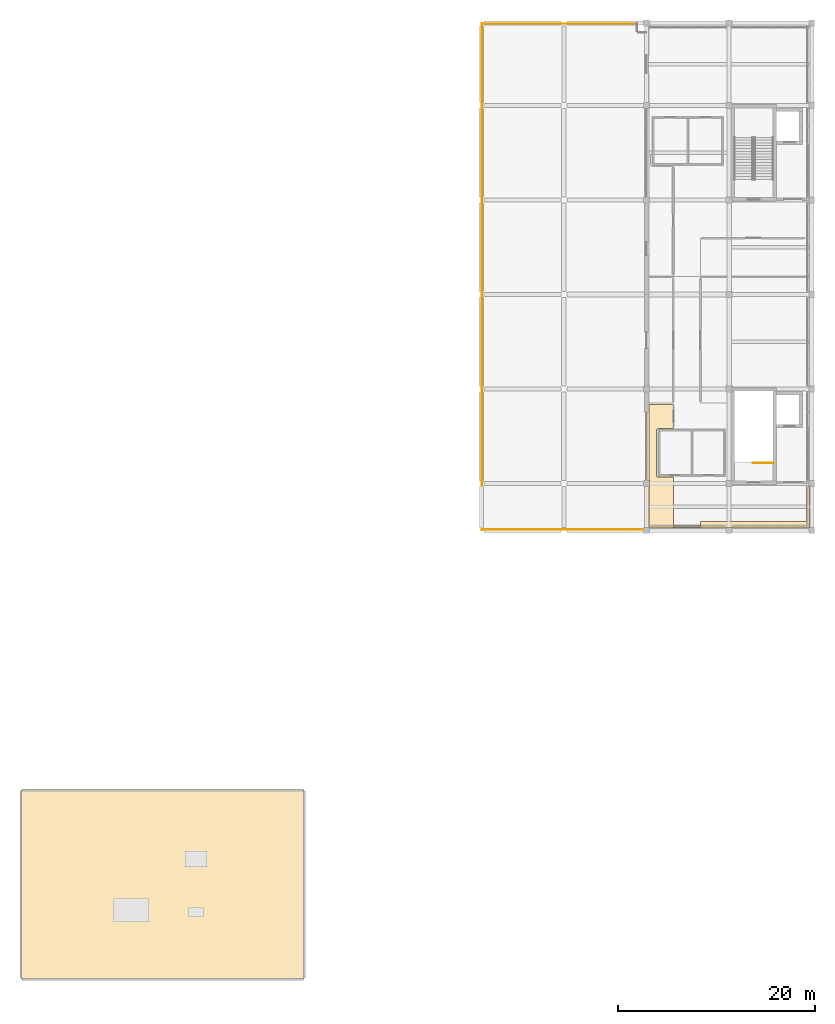
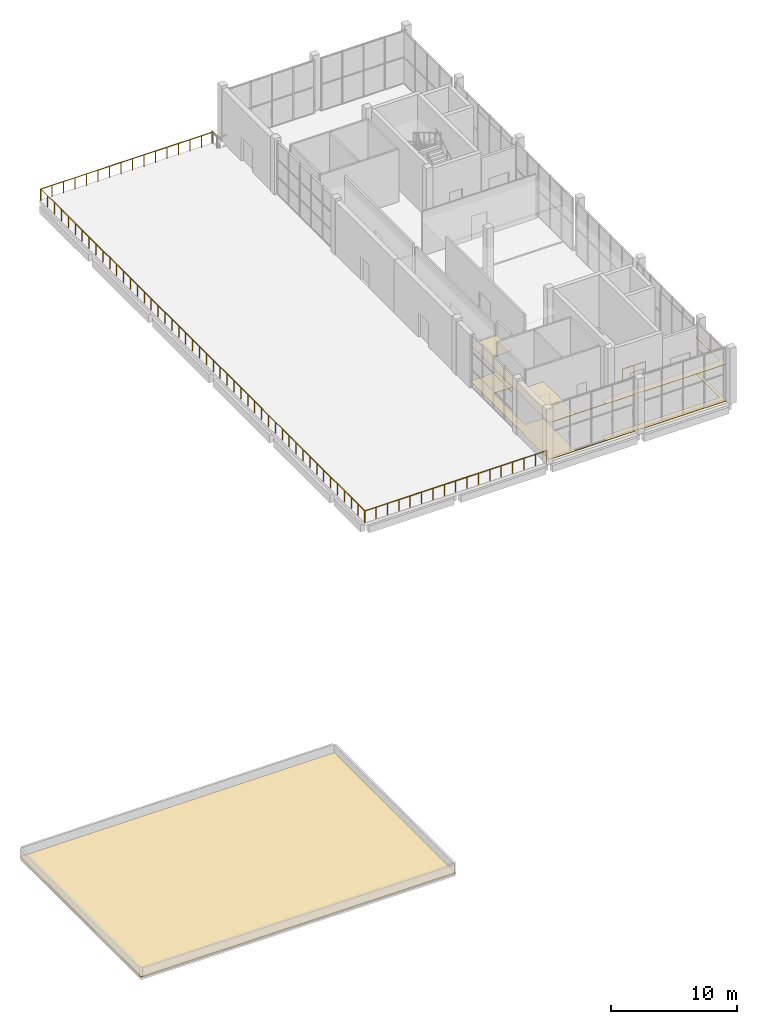
# One storey, part 13 of 15: 4 railings, 3 coverings.
"""IFC4 building model written with IfcOpenShell, lengths in metres."""

from ifc_helpers import new_model, si_unit, direction, frame, origin, origin_2d, place, context, subcontext, project, spatial, polyline, circle, outline, extrude, material, layer, layer_set, type_object, element, save


model = new_model("IFC4")

# Units and contexts
model_context = context("Model", 3, precision=1e-05, world=origin(), true_north=direction((0.0, 1.0)))
body_context = subcontext(model_context, "Body", "Model", "MODEL_VIEW")
ifc_project = project(units=[si_unit("LENGTHUNIT", "METRE"), si_unit("AREAUNIT", "SQUARE_METRE"), si_unit("VOLUMEUNIT", "CUBIC_METRE"), si_unit("PLANEANGLEUNIT", "RADIAN"), si_unit("MASSUNIT", "GRAM", prefix="KILO")], contexts=[model_context])

# Site, building, storey
site_placement = place(None, origin())
site = spatial("IfcSite", under=ifc_project, at=site_placement, CompositionType="ELEMENT")
building_placement = place(site_placement, origin())
building = spatial("IfcBuilding", under=site, at=building_placement, Name="Shalvenor Court Art Gallery", CompositionType="ELEMENT")
storey_placement = place(building_placement, frame((0.0, 0.0, 27.0)))
storey = spatial("IfcBuildingStorey", under=building, at=storey_placement, Name="L05", CompositionType="ELEMENT", Elevation=27.0)

# Coverings
ifc_material_1 = material(Name="Perforated acoustic gypsum gallery ceiling", Category="other")
ifc_layer_1 = layer(ifc_material_1, 0.044921875, Name="Perforated acoustic gypsum gallery ceiling")
ifc_layer_set_1 = layer_set([ifc_layer_1], Name="Perforated acoustic gypsum gallery ceiling")
covering_type_1 = type_object("IfcCoveringType", Name="CLG-01", PredefinedType="CEILING", material=ifc_layer_set_1)
covering_1_placement = place(storey_placement, frame((0.0, 0.0, 3.550048828125)))
element("IfcCovering", 1, at=covering_1_placement, inside=storey, type_object=covering_type_1, Name="L05 Top Lit Lantern Gallery Acoustic Ceiling", PredefinedType="CEILING", context=body_context, shape_type="SweptSolid", body=[
    extrude(outline(polyline([(162.320068359375, 58.419921875), (162.320068359375, 55.97998046875), (160.800048828125, 55.97998046875), (160.782470703125, 55.97900390625), (160.764892578125, 55.9765625), (160.747802734375, 55.97216796875), (160.731201171875, 55.96630859375), (160.715087890625, 55.958740234375), (160.699951171875, 55.94970703125), (160.685791015625, 55.939208984375), (160.672607421875, 55.92724609375), (160.660888671875, 55.914306640625), (160.650390625, 55.89990234375), (160.641357421875, 55.885009765625), (160.6337890625, 55.868896484375), (160.627685546875, 55.852294921875), (160.62353515625, 55.835205078125), (160.620849609375, 55.817626953125), (160.6201171875, 55.800048828125), (160.6201171875, 51.199951171875), (160.620849609375, 51.182373046875), (160.62353515625, 51.164794921875), (160.627685546875, 51.147705078125), (160.6337890625, 51.131103515625), (160.641357421875, 51.114990234375), (160.650390625, 51.10009765625), (160.660888671875, 51.085693359375), (160.672607421875, 51.07275390625), (160.685791015625, 51.060791015625), (160.699951171875, 51.05029296875), (160.715087890625, 51.041259765625), (160.731201171875, 51.03369140625), (160.747802734375, 51.02783203125), (160.764892578125, 51.0234375), (160.782470703125, 51.02099609375), (160.800048828125, 51.02001953125), (162.320068359375, 51.02001953125), (162.320068359375, 46.0), (162.3203125, 45.9921875), (162.321533203125, 45.984375), (162.323486328125, 45.976806640625), (162.326171875, 45.969482421875), (162.329345703125, 45.96240234375), (162.33349609375, 45.95556640625), (162.338134765625, 45.94921875), (162.343505859375, 45.943359375), (162.34912109375, 45.938232421875), (162.355712890625, 45.93359375), (162.3623046875, 45.929443359375), (162.369384765625, 45.926025390625), (162.376708984375, 45.92333984375), (162.384521484375, 45.92138671875), (162.39208984375, 45.92041015625), (162.39990234375, 45.919921875), (165.0, 45.919921875), (165.0078125, 45.92041015625), (165.015625, 45.92138671875), (165.023193359375, 45.92333984375), (165.030517578125, 45.926025390625), (165.03759765625, 45.929443359375), (165.04443359375, 45.93359375), (165.05078125, 45.938232421875), (165.056640625, 45.943359375), (165.061767578125, 45.94921875), (165.06640625, 45.95556640625), (165.070556640625, 45.96240234375), (165.073974609375, 45.969482421875), (165.07666015625, 45.976806640625), (165.07861328125, 45.984375), (165.07958984375, 45.9921875), (165.080078125, 46.0), (165.080078125, 46.52001953125), (175.800048828125, 46.52001953125), (175.807861328125, 46.5205078125), (175.815673828125, 46.521484375), (175.8232421875, 46.5234375), (175.83056640625, 46.526123046875), (175.837646484375, 46.529296875), (175.844482421875, 46.533447265625), (175.850830078125, 46.5380859375), (175.856689453125, 46.54345703125), (175.86181640625, 46.54931640625), (175.866455078125, 46.5556640625), (175.87060546875, 46.562255859375), (175.873779296875, 46.5693359375), (175.876708984375, 46.576904296875), (175.87841796875, 46.58447265625), (175.879638671875, 46.59228515625), (175.8798828125, 46.60009765625), (175.8798828125, 50.280029296875), (176.0, 50.280029296875), (176.021484375, 50.281005859375), (176.04296875, 50.2841796875), (176.06396484375, 50.28955078125), (176.080078125, 50.295166015625), (176.080078125, 50.080078125), (176.14990234375, 50.080078125), (176.14990234375, 45.919921875), (176.080078125, 45.919921875), (176.080078125, 45.85009765625), (168.320068359375, 45.85009765625), (168.320068359375, 45.919921875), (167.679931640625, 45.919921875), (167.679931640625, 45.85009765625), (159.919921875, 45.85009765625), (159.919921875, 45.919921875), (159.85009765625, 45.919921875), (159.85009765625, 50.080078125), (159.919921875, 50.080078125), (159.919921875, 50.719970703125), (159.85009765625, 50.719970703125), (159.85009765625, 58.419921875), (162.320068359375, 58.419921875)])), origin(), (0.0, 0.0, 1.0), 0.044921875),
])
ifc_material_2 = material(Name="Quarter-sawn white oak gallery flooring", Category="wood")
ifc_layer_2 = layer(ifc_material_2, 0.031982421875, Name="Quarter-sawn white oak gallery flooring")
ifc_layer_set_2 = layer_set([ifc_layer_2], Name="Quarter-sawn white oak gallery flooring")
covering_type_2 = type_object("IfcCoveringType", Name="FLR-02", PredefinedType="FLOORING", material=ifc_layer_set_2)
covering_2_placement = place(storey_placement, origin())
element("IfcCovering", 2, at=covering_2_placement, inside=storey, type_object=covering_type_2, Name="L05 Top Lit Lantern Gallery Flooring", PredefinedType="FLOORING", context=body_context, shape_type="SweptSolid", body=[
    extrude(outline(polyline([(162.320068359375, 58.419921875), (162.320068359375, 55.97998046875), (160.800048828125, 55.97998046875), (160.782470703125, 55.97900390625), (160.764892578125, 55.9765625), (160.747802734375, 55.97216796875), (160.731201171875, 55.96630859375), (160.715087890625, 55.958740234375), (160.699951171875, 55.94970703125), (160.685791015625, 55.939208984375), (160.672607421875, 55.92724609375), (160.660888671875, 55.914306640625), (160.650390625, 55.89990234375), (160.641357421875, 55.885009765625), (160.6337890625, 55.868896484375), (160.627685546875, 55.852294921875), (160.62353515625, 55.835205078125), (160.620849609375, 55.817626953125), (160.6201171875, 55.800048828125), (160.6201171875, 51.199951171875), (160.620849609375, 51.182373046875), (160.62353515625, 51.164794921875), (160.627685546875, 51.147705078125), (160.6337890625, 51.131103515625), (160.641357421875, 51.114990234375), (160.650390625, 51.10009765625), (160.660888671875, 51.085693359375), (160.672607421875, 51.07275390625), (160.685791015625, 51.060791015625), (160.699951171875, 51.05029296875), (160.715087890625, 51.041259765625), (160.731201171875, 51.03369140625), (160.747802734375, 51.02783203125), (160.764892578125, 51.0234375), (160.782470703125, 51.02099609375), (160.800048828125, 51.02001953125), (162.320068359375, 51.02001953125), (162.320068359375, 46.0), (162.3203125, 45.9921875), (162.321533203125, 45.984375), (162.323486328125, 45.976806640625), (162.326171875, 45.969482421875), (162.329345703125, 45.96240234375), (162.33349609375, 45.95556640625), (162.338134765625, 45.94921875), (162.343505859375, 45.943359375), (162.34912109375, 45.938232421875), (162.355712890625, 45.93359375), (162.3623046875, 45.929443359375), (162.369384765625, 45.926025390625), (162.376708984375, 45.92333984375), (162.384521484375, 45.92138671875), (162.39208984375, 45.92041015625), (162.39990234375, 45.919921875), (165.0, 45.919921875), (165.0078125, 45.92041015625), (165.015625, 45.92138671875), (165.023193359375, 45.92333984375), (165.030517578125, 45.926025390625), (165.03759765625, 45.929443359375), (165.04443359375, 45.93359375), (165.05078125, 45.938232421875), (165.056640625, 45.943359375), (165.061767578125, 45.94921875), (165.06640625, 45.95556640625), (165.070556640625, 45.96240234375), (165.073974609375, 45.969482421875), (165.07666015625, 45.976806640625), (165.07861328125, 45.984375), (165.07958984375, 45.9921875), (165.080078125, 46.0), (165.080078125, 46.52001953125), (175.800048828125, 46.52001953125), (175.807861328125, 46.5205078125), (175.815673828125, 46.521484375), (175.8232421875, 46.5234375), (175.83056640625, 46.526123046875), (175.837646484375, 46.529296875), (175.844482421875, 46.533447265625), (175.850830078125, 46.5380859375), (175.856689453125, 46.54345703125), (175.86181640625, 46.54931640625), (175.866455078125, 46.5556640625), (175.87060546875, 46.562255859375), (175.873779296875, 46.5693359375), (175.876708984375, 46.576904296875), (175.87841796875, 46.58447265625), (175.879638671875, 46.59228515625), (175.8798828125, 46.60009765625), (175.8798828125, 50.280029296875), (176.0, 50.280029296875), (176.021484375, 50.281005859375), (176.04296875, 50.2841796875), (176.06396484375, 50.28955078125), (176.080078125, 50.295166015625), (176.080078125, 50.080078125), (176.14990234375, 50.080078125), (176.14990234375, 45.919921875), (176.080078125, 45.919921875), (176.080078125, 45.85009765625), (168.320068359375, 45.85009765625), (168.320068359375, 45.919921875), (167.679931640625, 45.919921875), (167.679931640625, 45.85009765625), (159.919921875, 45.85009765625), (159.919921875, 45.919921875), (159.85009765625, 45.919921875), (159.85009765625, 50.080078125), (159.919921875, 50.080078125), (159.919921875, 50.719970703125), (159.85009765625, 50.719970703125), (159.85009765625, 58.419921875), (162.320068359375, 58.419921875)])), origin(), (0.0, 0.0, 1.0), 0.031982421875),
])

# Railings
ifc_material_3 = material(Name="Stainless steel and laminated glass balustrade", Category="steel")
railing_type_1 = type_object("IfcRailingType", Name="GR-01", PredefinedType="BALUSTRADE", material=ifc_material_3)
railing_1_placement = place(storey_placement, frame((159.5400390625, 45.679931640625, 0.0)))
element("IfcRailing", 3, at=railing_1_placement, inside=storey, type_object=railing_type_1, Name="L05 V1 Terrace Balustrade 6", PredefinedType="BALUSTRADE", context=body_context, shape_type="SweptSolid", body=[
    extrude(circle(Radius=0.02392578125, at=origin_2d()), frame((0.0, 0.0, 1.09619140625), z_axis=(-1.0, 0.0, 0.0), x_axis=(0.0, -1.0, 0.0)), (0.0, 0.0, 1.0), 16.679931640625),
    extrude(circle(Radius=0.02099609375, at=origin_2d()), origin(), (0.0, 0.0, 1.0), 1.072021484375),
    extrude(circle(Radius=0.02099609375, at=origin_2d()), frame((-1.04248046875, 0.0, 0.0)), (0.0, 0.0, 1.0), 1.072021484375),
    extrude(circle(Radius=0.02099609375, at=origin_2d()), frame((-2.0849609375, 0.0, 0.0)), (0.0, 0.0, 1.0), 1.072021484375),
    extrude(circle(Radius=0.02099609375, at=origin_2d()), frame((-3.12744140625, 0.0, 0.0)), (0.0, 0.0, 1.0), 1.072021484375),
    extrude(circle(Radius=0.02099609375, at=origin_2d()), frame((-4.169921875, 0.0, 0.0)), (0.0, 0.0, 1.0), 1.072021484375),
    extrude(circle(Radius=0.02099609375, at=origin_2d()), frame((-5.21240234375, 0.0, 0.0)), (0.0, 0.0, 1.0), 1.072021484375),
    extrude(circle(Radius=0.02099609375, at=origin_2d()), frame((-6.2548828125, 0.0, 0.0)), (0.0, 0.0, 1.0), 1.072021484375),
    extrude(circle(Radius=0.02099609375, at=origin_2d()), frame((-7.29736328125, 0.0, 0.0)), (0.0, 0.0, 1.0), 1.072021484375),
    extrude(circle(Radius=0.02099609375, at=origin_2d()), frame((-8.33984375, 0.0, 0.0)), (0.0, 0.0, 1.0), 1.072021484375),
    extrude(circle(Radius=0.02099609375, at=origin_2d()), frame((-9.382568359375, 0.0, 0.0)), (0.0, 0.0, 1.0), 1.072021484375),
    extrude(circle(Radius=0.02099609375, at=origin_2d()), frame((-10.425048828125, 0.0, 0.0)), (0.0, 0.0, 1.0), 1.072021484375),
    extrude(circle(Radius=0.02099609375, at=origin_2d()), frame((-11.467529296875, 0.0, 0.0)), (0.0, 0.0, 1.0), 1.072021484375),
    extrude(circle(Radius=0.02099609375, at=origin_2d()), frame((-12.510009765625, 0.0, 0.0)), (0.0, 0.0, 1.0), 1.072021484375),
    extrude(circle(Radius=0.02099609375, at=origin_2d()), frame((-13.552490234375, 0.0, 0.0)), (0.0, 0.0, 1.0), 1.072021484375),
    extrude(circle(Radius=0.02099609375, at=origin_2d()), frame((-14.594970703125, 0.0, 0.0)), (0.0, 0.0, 1.0), 1.072021484375),
    extrude(circle(Radius=0.02099609375, at=origin_2d()), frame((-15.637451171875, 0.0, 0.0)), (0.0, 0.0, 1.0), 1.072021484375),
    extrude(circle(Radius=0.02099609375, at=origin_2d()), frame((-16.679931640625, 0.0, 0.0)), (0.0, 0.0, 1.0), 1.072021484375),
])
railing_2_placement = place(storey_placement, frame((142.8798828125, 45.659912109375, 0.0)))
element("IfcRailing", 4, at=railing_2_placement, inside=storey, type_object=railing_type_1, Name="L05 V1 Terrace Balustrade 7", PredefinedType="BALUSTRADE", context=body_context, shape_type="SweptSolid", body=[
    extrude(circle(Radius=0.02392578125, at=origin_2d()), frame((0.0, 0.0, 1.09619140625), z_axis=(0.0, 1.0, 0.0), x_axis=(-1.0, 0.0, 0.0)), (0.0, 0.0, 1.0), 51.47998046875),
    extrude(circle(Radius=0.02099609375, at=origin_2d()), origin(), (0.0, 0.0, 1.0), 1.072021484375),
    extrude(circle(Radius=0.02099609375, at=origin_2d()), frame((0.0, 1.09521484375, 0.0)), (0.0, 0.0, 1.0), 1.072021484375),
    extrude(circle(Radius=0.02099609375, at=origin_2d()), frame((0.0, 2.190673828125, 0.0)), (0.0, 0.0, 1.0), 1.072021484375),
    extrude(circle(Radius=0.02099609375, at=origin_2d()), frame((0.0, 3.285888671875, 0.0)), (0.0, 0.0, 1.0), 1.072021484375),
    extrude(circle(Radius=0.02099609375, at=origin_2d()), frame((0.0, 4.38134765625, 0.0)), (0.0, 0.0, 1.0), 1.072021484375),
    extrude(circle(Radius=0.02099609375, at=origin_2d()), frame((0.0, 5.4765625, 0.0)), (0.0, 0.0, 1.0), 1.072021484375),
    extrude(circle(Radius=0.02099609375, at=origin_2d()), frame((0.0, 6.572021484375, 0.0)), (0.0, 0.0, 1.0), 1.072021484375),
    extrude(circle(Radius=0.02099609375, at=origin_2d()), frame((0.0, 7.667236328125, 0.0)), (0.0, 0.0, 1.0), 1.072021484375),
    extrude(circle(Radius=0.02099609375, at=origin_2d()), frame((0.0, 8.762451171875, 0.0)), (0.0, 0.0, 1.0), 1.072021484375),
    extrude(circle(Radius=0.02099609375, at=origin_2d()), frame((0.0, 9.85791015625, 0.0)), (0.0, 0.0, 1.0), 1.072021484375),
    extrude(circle(Radius=0.02099609375, at=origin_2d()), frame((0.0, 10.953125, 0.0)), (0.0, 0.0, 1.0), 1.072021484375),
    extrude(circle(Radius=0.02099609375, at=origin_2d()), frame((0.0, 12.048583984375, 0.0)), (0.0, 0.0, 1.0), 1.072021484375),
    extrude(circle(Radius=0.02099609375, at=origin_2d()), frame((0.0, 13.143798828125, 0.0)), (0.0, 0.0, 1.0), 1.072021484375),
    extrude(circle(Radius=0.02099609375, at=origin_2d()), frame((0.0, 14.2392578125, 0.0)), (0.0, 0.0, 1.0), 1.072021484375),
    extrude(circle(Radius=0.02099609375, at=origin_2d()), frame((0.0, 15.33447265625, 0.0)), (0.0, 0.0, 1.0), 1.072021484375),
    extrude(circle(Radius=0.02099609375, at=origin_2d()), frame((0.0, 16.4296875, 0.0)), (0.0, 0.0, 1.0), 1.072021484375),
    extrude(circle(Radius=0.02099609375, at=origin_2d()), frame((0.0, 17.525146484375, 0.0)), (0.0, 0.0, 1.0), 1.072021484375),
    extrude(circle(Radius=0.02099609375, at=origin_2d()), frame((0.0, 18.620361328125, 0.0)), (0.0, 0.0, 1.0), 1.072021484375),
    extrude(circle(Radius=0.02099609375, at=origin_2d()), frame((0.0, 19.7158203125, 0.0)), (0.0, 0.0, 1.0), 1.072021484375),
    extrude(circle(Radius=0.02099609375, at=origin_2d()), frame((0.0, 20.81103515625, 0.0)), (0.0, 0.0, 1.0), 1.072021484375),
    extrude(circle(Radius=0.02099609375, at=origin_2d()), frame((0.0, 21.906494140625, 0.0)), (0.0, 0.0, 1.0), 1.072021484375),
    extrude(circle(Radius=0.02099609375, at=origin_2d()), frame((0.0, 23.001708984375, 0.0)), (0.0, 0.0, 1.0), 1.072021484375),
    extrude(circle(Radius=0.02099609375, at=origin_2d()), frame((0.0, 24.096923828125, 0.0)), (0.0, 0.0, 1.0), 1.072021484375),
    extrude(circle(Radius=0.02099609375, at=origin_2d()), frame((0.0, 25.1923828125, 0.0)), (0.0, 0.0, 1.0), 1.072021484375),
    extrude(circle(Radius=0.02099609375, at=origin_2d()), frame((0.0, 26.28759765625, 0.0)), (0.0, 0.0, 1.0), 1.072021484375),
    extrude(circle(Radius=0.02099609375, at=origin_2d()), frame((0.0, 27.383056640625, 0.0)), (0.0, 0.0, 1.0), 1.072021484375),
    extrude(circle(Radius=0.02099609375, at=origin_2d()), frame((0.0, 28.478271484375, 0.0)), (0.0, 0.0, 1.0), 1.072021484375),
    extrude(circle(Radius=0.02099609375, at=origin_2d()), frame((0.0, 29.573486328125, 0.0)), (0.0, 0.0, 1.0), 1.072021484375),
    extrude(circle(Radius=0.02099609375, at=origin_2d()), frame((0.0, 30.6689453125, 0.0)), (0.0, 0.0, 1.0), 1.072021484375),
    extrude(circle(Radius=0.02099609375, at=origin_2d()), frame((0.0, 31.76416015625, 0.0)), (0.0, 0.0, 1.0), 1.072021484375),
    extrude(circle(Radius=0.02099609375, at=origin_2d()), frame((0.0, 32.859619140625, 0.0)), (0.0, 0.0, 1.0), 1.072021484375),
    extrude(circle(Radius=0.02099609375, at=origin_2d()), frame((0.0, 33.954833984375, 0.0)), (0.0, 0.0, 1.0), 1.072021484375),
    extrude(circle(Radius=0.02099609375, at=origin_2d()), frame((0.0, 35.05029296875, 0.0)), (0.0, 0.0, 1.0), 1.072021484375),
    extrude(circle(Radius=0.02099609375, at=origin_2d()), frame((0.0, 36.1455078125, 0.0)), (0.0, 0.0, 1.0), 1.072021484375),
    extrude(circle(Radius=0.02099609375, at=origin_2d()), frame((0.0, 37.24072265625, 0.0)), (0.0, 0.0, 1.0), 1.072021484375),
    extrude(circle(Radius=0.02099609375, at=origin_2d()), frame((0.0, 38.336181640625, 0.0)), (0.0, 0.0, 1.0), 1.072021484375),
    extrude(circle(Radius=0.02099609375, at=origin_2d()), frame((0.0, 39.431396484375, 0.0)), (0.0, 0.0, 1.0), 1.072021484375),
    extrude(circle(Radius=0.02099609375, at=origin_2d()), frame((0.0, 40.52685546875, 0.0)), (0.0, 0.0, 1.0), 1.072021484375),
    extrude(circle(Radius=0.02099609375, at=origin_2d()), frame((0.0, 41.6220703125, 0.0)), (0.0, 0.0, 1.0), 1.072021484375),
    extrude(circle(Radius=0.02099609375, at=origin_2d()), frame((0.0, 42.717529296875, 0.0)), (0.0, 0.0, 1.0), 1.072021484375),
    extrude(circle(Radius=0.02099609375, at=origin_2d()), frame((0.0, 43.812744140625, 0.0)), (0.0, 0.0, 1.0), 1.072021484375),
    extrude(circle(Radius=0.02099609375, at=origin_2d()), frame((0.0, 44.907958984375, 0.0)), (0.0, 0.0, 1.0), 1.072021484375),
    extrude(circle(Radius=0.02099609375, at=origin_2d()), frame((0.0, 46.00341796875, 0.0)), (0.0, 0.0, 1.0), 1.072021484375),
    extrude(circle(Radius=0.02099609375, at=origin_2d()), frame((0.0, 47.0986328125, 0.0)), (0.0, 0.0, 1.0), 1.072021484375),
    extrude(circle(Radius=0.02099609375, at=origin_2d()), frame((0.0, 48.194091796875, 0.0)), (0.0, 0.0, 1.0), 1.072021484375),
    extrude(circle(Radius=0.02099609375, at=origin_2d()), frame((0.0, 49.289306640625, 0.0)), (0.0, 0.0, 1.0), 1.072021484375),
    extrude(circle(Radius=0.02099609375, at=origin_2d()), frame((0.0, 50.384765625, 0.0)), (0.0, 0.0, 1.0), 1.072021484375),
    extrude(circle(Radius=0.02099609375, at=origin_2d()), frame((0.0, 51.47998046875, 0.0)), (0.0, 0.0, 1.0), 1.072021484375),
])
railing_3_placement = place(storey_placement, frame((142.860107421875, 97.1201171875, 0.0)))
element("IfcRailing", 5, at=railing_3_placement, inside=storey, type_object=railing_type_1, Name="L05 V1 Terrace Balustrade 8", PredefinedType="BALUSTRADE", context=body_context, shape_type="SweptSolid", body=[
    extrude(circle(Radius=0.02392578125, at=origin_2d()), frame((0.0, 0.0, 1.09619140625), z_axis=(1.0, 0.0, 0.0), x_axis=(0.0, 1.0, 0.0)), (0.0, 0.0, 1.0), 15.77978515625),
    extrude(circle(Radius=0.02099609375, at=origin_2d()), origin(), (0.0, 0.0, 1.0), 1.072021484375),
    extrude(circle(Radius=0.02099609375, at=origin_2d()), frame((1.052001953125, 0.0, 0.0)), (0.0, 0.0, 1.0), 1.072021484375),
    extrude(circle(Radius=0.02099609375, at=origin_2d()), frame((2.10400390625, 0.0, 0.0)), (0.0, 0.0, 1.0), 1.072021484375),
    extrude(circle(Radius=0.02099609375, at=origin_2d()), frame((3.156005859375, 0.0, 0.0)), (0.0, 0.0, 1.0), 1.072021484375),
    extrude(circle(Radius=0.02099609375, at=origin_2d()), frame((4.2080078125, 0.0, 0.0)), (0.0, 0.0, 1.0), 1.072021484375),
    extrude(circle(Radius=0.02099609375, at=origin_2d()), frame((5.260009765625, 0.0, 0.0)), (0.0, 0.0, 1.0), 1.072021484375),
    extrude(circle(Radius=0.02099609375, at=origin_2d()), frame((6.31201171875, 0.0, 0.0)), (0.0, 0.0, 1.0), 1.072021484375),
    extrude(circle(Radius=0.02099609375, at=origin_2d()), frame((7.364013671875, 0.0, 0.0)), (0.0, 0.0, 1.0), 1.072021484375),
    extrude(circle(Radius=0.02099609375, at=origin_2d()), frame((8.415771484375, 0.0, 0.0)), (0.0, 0.0, 1.0), 1.072021484375),
    extrude(circle(Radius=0.02099609375, at=origin_2d()), frame((9.4677734375, 0.0, 0.0)), (0.0, 0.0, 1.0), 1.072021484375),
    extrude(circle(Radius=0.02099609375, at=origin_2d()), frame((10.519775390625, 0.0, 0.0)), (0.0, 0.0, 1.0), 1.072021484375),
    extrude(circle(Radius=0.02099609375, at=origin_2d()), frame((11.57177734375, 0.0, 0.0)), (0.0, 0.0, 1.0), 1.072021484375),
    extrude(circle(Radius=0.02099609375, at=origin_2d()), frame((12.623779296875, 0.0, 0.0)), (0.0, 0.0, 1.0), 1.072021484375),
    extrude(circle(Radius=0.02099609375, at=origin_2d()), frame((13.67578125, 0.0, 0.0)), (0.0, 0.0, 1.0), 1.072021484375),
    extrude(circle(Radius=0.02099609375, at=origin_2d()), frame((14.727783203125, 0.0, 0.0)), (0.0, 0.0, 1.0), 1.072021484375),
    extrude(circle(Radius=0.02099609375, at=origin_2d()), frame((15.77978515625, 0.0, 0.0)), (0.0, 0.0, 1.0), 1.072021484375),
])
ifc_material_4 = material(Name="Painted steel post-and-rail guard", Category="steel")
railing_type_2 = type_object("IfcRailingType", Name="GR-02", PredefinedType="GUARDRAIL", material=ifc_material_4)
railing_4_placement = place(storey_placement, frame((172.5, 52.449951171875, 0.0)))
element("IfcRailing", 6, at=railing_4_placement, inside=storey, type_object=railing_type_2, Name="L05 ST-02 Top Well Guard 1", PredefinedType="GUARDRAIL", context=body_context, shape_type="SweptSolid", body=[
    extrude(circle(Radius=0.02392578125, at=origin_2d()), frame((0.0, 0.0, 1.09619140625), z_axis=(-1.0, 0.0, 0.0), x_axis=(0.0, -1.0, 0.0)), (0.0, 0.0, 1.0), 2.10009765625),
    extrude(circle(Radius=0.02099609375, at=origin_2d()), origin(), (0.0, 0.0, 1.0), 1.072021484375),
    extrude(circle(Radius=0.02099609375, at=origin_2d()), frame((-1.050048828125, 0.0, 0.0)), (0.0, 0.0, 1.0), 1.072021484375),
    extrude(circle(Radius=0.02099609375, at=origin_2d()), frame((-2.10009765625, 0.0, 0.0)), (0.0, 0.0, 1.0), 1.072021484375),
])

# Covering
ifc_material_5 = material(Name="Standing-seam zinc insulated roofing", Category="other")
ifc_layer_3 = layer(ifc_material_5, 0.074951171875, Name="Standing-seam zinc insulated roofing")
ifc_layer_set_3 = layer_set([ifc_layer_3], Name="Standing-seam zinc insulated roofing")
covering_type_3 = type_object("IfcCoveringType", Name="RFC-02", PredefinedType="ROOFING", material=ifc_layer_set_3)
covering_3_placement = place(storey_placement, origin())
element("IfcCovering", 7, at=covering_3_placement, inside=storey, type_object=covering_type_3, Name="L05 Insulated Roof Membrane 2", PredefinedType="ROOFING", context=body_context, shape_type="SweptSolid", body=[
    extrude(outline(polyline([(124.800048828125, 0.0), (124.800048828125, 19.199951171875), (96.0, 19.199951171875), (96.0, 0.0), (124.800048828125, 0.0)])), origin(), (0.0, 0.0, 1.0), 0.080078125),
])

save(model, "model.ifc")
